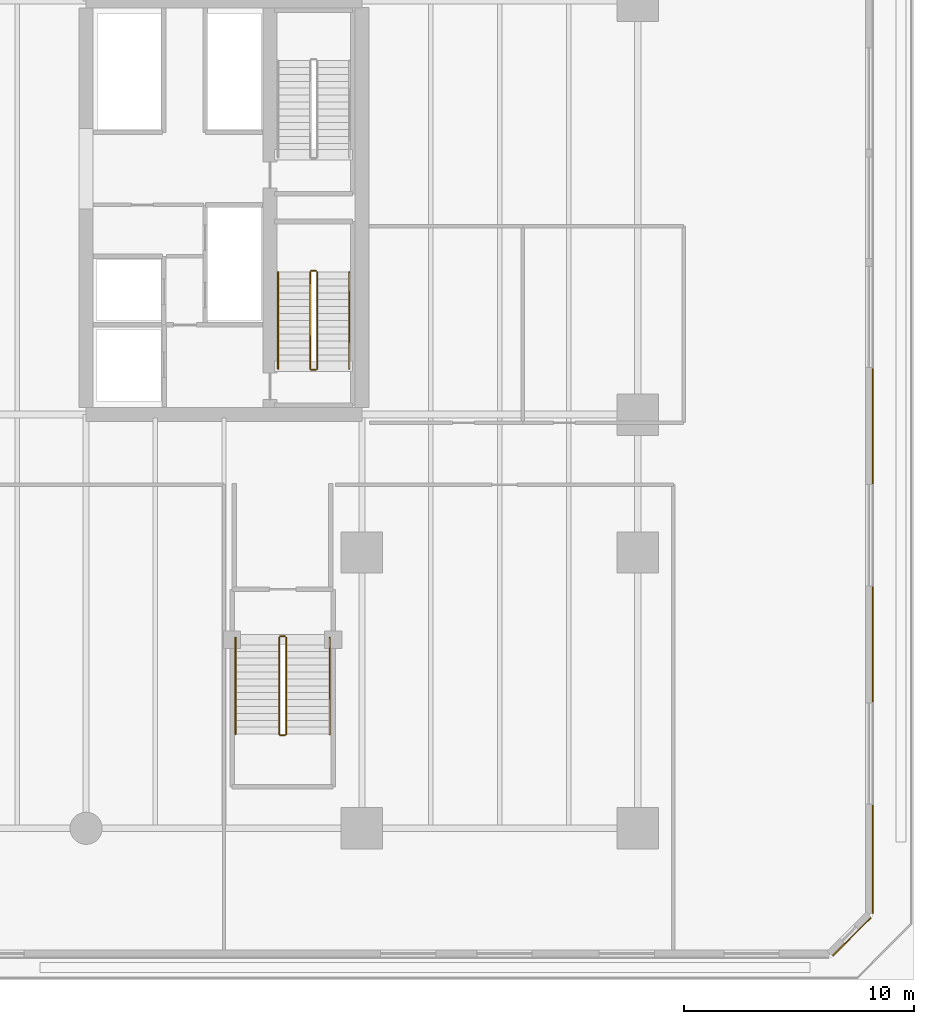
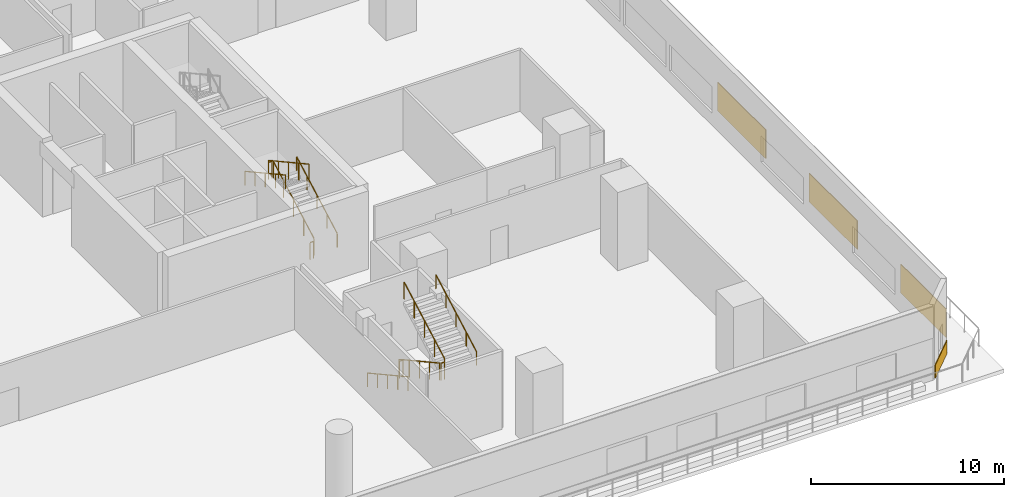
# One storey, part 22 of 24: 12 railings, 4 coverings.
"""IFC4 building model written with IfcOpenShell, lengths in metres."""

from ifc_helpers import new_model, si_unit, direction, frame, origin, origin_2d, place, context, subcontext, project, spatial, rectangle, extrude, material, layer, layer_set, type_object, element, save


model = new_model("IFC4")

# Units and contexts
model_context = context("Model", 3, precision=1e-05, world=origin(), true_north=direction((0.0, 1.0)))
body_context = subcontext(model_context, "Body", "Model", "MODEL_VIEW")
ifc_project = project(units=[si_unit("LENGTHUNIT", "METRE"), si_unit("AREAUNIT", "SQUARE_METRE"), si_unit("VOLUMEUNIT", "CUBIC_METRE"), si_unit("PLANEANGLEUNIT", "RADIAN"), si_unit("MASSUNIT", "GRAM", prefix="KILO")], contexts=[model_context])

# Site, building, storey
site_placement = place(None, origin())
site = spatial("IfcSite", under=ifc_project, at=site_placement, CompositionType="ELEMENT")
building_placement = place(site_placement, origin())
building = spatial("IfcBuilding", under=site, at=building_placement, Name="Tanjung Sevakor Pilgrim Tower", CompositionType="ELEMENT")
storey_placement = place(building_placement, frame((0.0, 0.0, 4.949951171875)))
storey = spatial("IfcBuildingStorey", under=building, at=storey_placement, Name="L02", CompositionType="ELEMENT", Elevation=4.949951171875)

# Coverings
ifc_material_1 = material(Name="Reconstructed Limestone Cladding", Category="masonry")
ifc_layer = layer(ifc_material_1, 0.044921875)
ifc_layer_set = layer_set([ifc_layer], Name="COV-CLAD-LIMESTONE")
covering_type = type_object("IfcCoveringType", Name="COV-CLAD-LIMESTONE", PredefinedType="CLADDING", material=ifc_layer_set)
covering_1_placement = place(storey_placement, frame((111.31591796875, 1.884033203125, 0.009765625), z_axis=(0.0, 0.0, 1.0), x_axis=(0.707106781187, 0.707106781187, 0.0)))
element("IfcCovering", 1, at=covering_1_placement, inside=storey, type_object=covering_type, Name="L02 Warm Limestone Sill Spandrel EW-L02-MAIN-2-1", PredefinedType="CLADDING", context=body_context, shape_type="SweptSolid", body=[
    extrude(rectangle(XDim=2.34130859375, YDim=0.044921875, at=origin_2d()), origin(), (0.0, 0.0, 1.0), 0.840087890625),
])
covering_2_placement = place(storey_placement, frame((112.222412109375, 5.2509765625, 0.85009765625), z_axis=(0.0, 0.0, 1.0), x_axis=(0.0, 1.0, 0.0)))
element("IfcCovering", 2, at=covering_2_placement, inside=storey, type_object=covering_type, Name="L02 Warm Limestone Pier Panel EW-L02-MAIN-3-1", PredefinedType="CLADDING", context=body_context, shape_type="SweptSolid", body=[
    extrude(rectangle(XDim=4.697998046875, YDim=0.044921875, at=origin_2d()), origin(), (0.0, 0.0, 1.0), 1.81005859375),
])
for number, where, z_axis, x_axis, name in (
    (3, (112.222412109375, 14.60009765625, 0.85009765625), (0.0, 0.0, 1.0), (0.0, 1.0, 0.0), "L02 Warm Limestone Pier Panel EW-L02-MAIN-3-2"),
    (4, (112.222412109375, 24.10009765625, 0.85009765625), (0.0, 0.0, 1.0), (0.0, 1.0, 0.0), "L02 Warm Limestone Pier Panel EW-L02-MAIN-3-3"),
):
    element("IfcCovering", number, at=place(storey_placement, frame(where, z_axis=z_axis, x_axis=x_axis)), inside=storey, type_object=covering_type, Name=name, PredefinedType="CLADDING", context=body_context, shape_type="SweptSolid", body=[
        extrude(rectangle(XDim=5.0, YDim=0.044921875, at=origin_2d()), origin(), (0.0, 0.0, 1.0), 1.81005859375),
    ])

# Railings
ifc_material_2 = material(Name="Steel S355J2", Category="steel")
railing_type_1 = type_object("IfcRailingType", Name="RL-STAIR-GUARD", PredefinedType="GUARDRAIL", material=ifc_material_2)
railing_1_placement = place(storey_placement, frame((88.050048828125, 26.60009765625, 0.1650390625)))
element("IfcRailing", 5, at=railing_1_placement, inside=storey, type_object=railing_type_1, Name="L02 TS-E1 stair guard 1", PredefinedType="GUARDRAIL", context=body_context, shape_type="SweptSolid", body=[
    extrude(rectangle(XDim=0.0479, YDim=0.0479), frame((0.0, 0.0, 1.076171875), z_axis=(0.0, 0.876208380975, 0.481932436249), x_axis=(-1.0, 0.0, 0.0)), (0.0, 0.0, 1.0), 4.793212890625),
    extrude(rectangle(XDim=0.042, YDim=0.042), origin(), (0.0, 0.0, 1.0), 1.052001953125),
    extrude(rectangle(XDim=0.042, YDim=0.042), frame((0.0, 1.050048828125, 0.57763671875)), (0.0, 0.0, 1.0), 1.052001953125),
    extrude(rectangle(XDim=0.042, YDim=0.042), frame((0.0, 2.10009765625, 1.155029296875)), (0.0, 0.0, 1.0), 1.052001953125),
    extrude(rectangle(XDim=0.042, YDim=0.042), frame((0.0, 3.14990234375, 1.732421875)), (0.0, 0.0, 1.0), 1.052001953125),
    extrude(rectangle(XDim=0.042, YDim=0.042), frame((0.0, 4.199951171875, 2.31005859375)), (0.0, 0.0, 1.0), 1.052001953125),
])
railing_2_placement = place(storey_placement, frame((88.0, 30.85009765625, 2.47509765625)))
element("IfcRailing", 6, at=railing_2_placement, inside=storey, type_object=railing_type_1, Name="L02 TS-E1 stair guard 2", PredefinedType="GUARDRAIL", context=body_context, shape_type="SweptSolid", body=[
    extrude(rectangle(XDim=0.0479, YDim=0.0479), frame((0.0, 0.0, 1.076171875), z_axis=(-1.0, 0.0, 0.0), x_axis=(0.0, -1.0, 0.0)), (0.0, 0.0, 1.0), 0.199951171875),
    extrude(rectangle(XDim=0.042, YDim=0.042), origin(), (0.0, 0.0, 1.0), 1.052001953125),
    extrude(rectangle(XDim=0.042, YDim=0.042), frame((-0.199951171875, 0.0, 0.0)), (0.0, 0.0, 1.0), 1.052001953125),
])
railing_3_placement = place(storey_placement, frame((87.75, 30.800048828125, 2.64013671875)))
element("IfcRailing", 7, at=railing_3_placement, inside=storey, type_object=railing_type_1, Name="L02 TS-E1 stair guard 3", PredefinedType="GUARDRAIL", context=body_context, shape_type="SweptSolid", body=[
    extrude(rectangle(XDim=0.0479, YDim=0.0479), frame((0.0, 0.0, 1.076171875), z_axis=(0.0, -0.876229888469, 0.481893331094), x_axis=(1.0, 0.0, 0.0)), (0.0, 0.0, 1.0), 4.793212890625),
    extrude(rectangle(XDim=0.042, YDim=0.042), origin(), (0.0, 0.0, 1.0), 1.052001953125),
    extrude(rectangle(XDim=0.042, YDim=0.042), frame((0.0, -1.050048828125, 0.577392578125)), (0.0, 0.0, 1.0), 1.052001953125),
    extrude(rectangle(XDim=0.042, YDim=0.042), frame((0.0, -2.10009765625, 1.15478515625)), (0.0, 0.0, 1.0), 1.052001953125),
    extrude(rectangle(XDim=0.042, YDim=0.042), frame((0.0, -3.14990234375, 1.732421875)), (0.0, 0.0, 1.0), 1.052001953125),
    extrude(rectangle(XDim=0.042, YDim=0.042), frame((0.0, -4.199951171875, 2.309814453125)), (0.0, 0.0, 1.0), 1.052001953125),
])
railing_4_placement = place(storey_placement, frame((88.0, 26.550048828125, 0.0)))
element("IfcRailing", 8, at=railing_4_placement, inside=storey, type_object=railing_type_1, Name="L02 TS-E1 stair guard 4", PredefinedType="GUARDRAIL", context=body_context, shape_type="SweptSolid", body=[
    extrude(rectangle(XDim=0.0479, YDim=0.0479), frame((0.0, 0.0, 1.076171875), z_axis=(-1.0, 0.0, 0.0), x_axis=(0.0, -1.0, 0.0)), (0.0, 0.0, 1.0), 0.199951171875),
    extrude(rectangle(XDim=0.042, YDim=0.042), origin(), (0.0, 0.0, 1.0), 1.052001953125),
    extrude(rectangle(XDim=0.042, YDim=0.042), frame((-0.199951171875, 0.0, 0.0)), (0.0, 0.0, 1.0), 1.052001953125),
])
railing_5_placement = place(storey_placement, frame((86.39990234375, 14.89990234375, 0.1650390625)))
element("IfcRailing", 9, at=railing_5_placement, inside=storey, type_object=railing_type_1, Name="L02 PS-5 stair guard 1", PredefinedType="GUARDRAIL", context=body_context, shape_type="SweptSolid", body=[
    extrude(rectangle(XDim=0.0479, YDim=0.0479), frame((0.0, 0.0, 1.076171875), z_axis=(0.0, -0.876208380975, 0.481932436249), x_axis=(1.0, 0.0, 0.0)), (0.0, 0.0, 1.0), 4.793212890625),
    extrude(rectangle(XDim=0.042, YDim=0.042), origin(), (0.0, 0.0, 1.0), 1.052001953125),
    extrude(rectangle(XDim=0.042, YDim=0.042), frame((0.0, -1.050048828125, 0.57763671875)), (0.0, 0.0, 1.0), 1.052001953125),
    extrude(rectangle(XDim=0.042, YDim=0.042), frame((0.0, -2.10009765625, 1.155029296875)), (0.0, 0.0, 1.0), 1.052001953125),
    extrude(rectangle(XDim=0.042, YDim=0.042), frame((0.0, -3.14990234375, 1.732421875)), (0.0, 0.0, 1.0), 1.052001953125),
    extrude(rectangle(XDim=0.042, YDim=0.042), frame((0.0, -4.199951171875, 2.31005859375)), (0.0, 0.0, 1.0), 1.052001953125),
])
railing_6_placement = place(storey_placement, frame((86.449951171875, 10.64990234375, 2.47509765625)))
element("IfcRailing", 10, at=railing_6_placement, inside=storey, type_object=railing_type_1, Name="L02 PS-5 stair guard 2", PredefinedType="GUARDRAIL", context=body_context, shape_type="SweptSolid", body=[
    extrude(rectangle(XDim=0.0479, YDim=0.0479), frame((0.0, 0.0, 1.076171875), z_axis=(1.0, 0.0, 0.0), x_axis=(0.0, 1.0, 0.0)), (0.0, 0.0, 1.0), 0.199951171875),
    extrude(rectangle(XDim=0.042, YDim=0.042), origin(), (0.0, 0.0, 1.0), 1.052001953125),
    extrude(rectangle(XDim=0.042, YDim=0.042), frame((0.199951171875, 0.0, 0.0)), (0.0, 0.0, 1.0), 1.052001953125),
])
railing_7_placement = place(storey_placement, frame((86.699951171875, 10.699951171875, 2.64013671875)))
element("IfcRailing", 11, at=railing_7_placement, inside=storey, type_object=railing_type_1, Name="L02 PS-5 stair guard 3", PredefinedType="GUARDRAIL", context=body_context, shape_type="SweptSolid", body=[
    extrude(rectangle(XDim=0.0479, YDim=0.0479), frame((0.0, 0.0, 1.076171875), z_axis=(0.0, 0.876229888469, 0.481893331094), x_axis=(-1.0, 0.0, 0.0)), (0.0, 0.0, 1.0), 4.793212890625),
    extrude(rectangle(XDim=0.042, YDim=0.042), origin(), (0.0, 0.0, 1.0), 1.052001953125),
    extrude(rectangle(XDim=0.042, YDim=0.042), frame((0.0, 1.050048828125, 0.577392578125)), (0.0, 0.0, 1.0), 1.052001953125),
    extrude(rectangle(XDim=0.042, YDim=0.042), frame((0.0, 2.10009765625, 1.15478515625)), (0.0, 0.0, 1.0), 1.052001953125),
    extrude(rectangle(XDim=0.042, YDim=0.042), frame((0.0, 3.14990234375, 1.732421875)), (0.0, 0.0, 1.0), 1.052001953125),
    extrude(rectangle(XDim=0.042, YDim=0.042), frame((0.0, 4.199951171875, 2.309814453125)), (0.0, 0.0, 1.0), 1.052001953125),
])
railing_8_placement = place(storey_placement, frame((86.449951171875, 14.949951171875, 0.0)))
element("IfcRailing", 12, at=railing_8_placement, inside=storey, type_object=railing_type_1, Name="L02 PS-5 stair guard 4", PredefinedType="GUARDRAIL", context=body_context, shape_type="SweptSolid", body=[
    extrude(rectangle(XDim=0.0479, YDim=0.0479), frame((0.0, 0.0, 1.076171875), z_axis=(1.0, 0.0, 0.0), x_axis=(0.0, 1.0, 0.0)), (0.0, 0.0, 1.0), 0.199951171875),
    extrude(rectangle(XDim=0.042, YDim=0.042), origin(), (0.0, 0.0, 1.0), 1.052001953125),
    extrude(rectangle(XDim=0.042, YDim=0.042), frame((0.199951171875, 0.0, 0.0)), (0.0, 0.0, 1.0), 1.052001953125),
])
ifc_material_3 = material(Name="Steel S355J2", Category="steel")
railing_type_2 = type_object("IfcRailingType", Name="RL-STAIR-HAND", PredefinedType="HANDRAIL", material=ifc_material_3)
railing_9_placement = place(storey_placement, frame((89.449951171875, 26.60009765625, 0.1650390625)))
element("IfcRailing", 13, at=railing_9_placement, inside=storey, type_object=railing_type_2, Name="L02 TS-E1 stair handrail 1", PredefinedType="HANDRAIL", context=body_context, shape_type="SweptSolid", body=[
    extrude(rectangle(XDim=0.0479, YDim=0.0479), frame((0.0, 0.0, 0.8759765625), z_axis=(0.0, 0.876208380975, 0.481932436249), x_axis=(-1.0, 0.0, 0.0)), (0.0, 0.0, 1.0), 4.793212890625),
    extrude(rectangle(XDim=0.042, YDim=0.042), origin(), (0.0, 0.0, 1.0), 0.851806640625),
    extrude(rectangle(XDim=0.042, YDim=0.042), frame((0.0, 1.050048828125, 0.57763671875)), (0.0, 0.0, 1.0), 0.851806640625),
    extrude(rectangle(XDim=0.042, YDim=0.042), frame((0.0, 2.10009765625, 1.155029296875)), (0.0, 0.0, 1.0), 0.851806640625),
    extrude(rectangle(XDim=0.042, YDim=0.042), frame((0.0, 3.14990234375, 1.732421875)), (0.0, 0.0, 1.0), 0.851806640625),
    extrude(rectangle(XDim=0.042, YDim=0.042), frame((0.0, 4.199951171875, 2.31005859375)), (0.0, 0.0, 1.0), 0.851806640625),
])
railing_10_placement = place(storey_placement, frame((86.35009765625, 30.800048828125, 2.64013671875)))
element("IfcRailing", 14, at=railing_10_placement, inside=storey, type_object=railing_type_2, Name="L02 TS-E1 stair handrail 2", PredefinedType="HANDRAIL", context=body_context, shape_type="SweptSolid", body=[
    extrude(rectangle(XDim=0.0479, YDim=0.0479), frame((0.0, 0.0, 0.8759765625), z_axis=(0.0, -0.876229888469, 0.481893331094), x_axis=(1.0, 0.0, 0.0)), (0.0, 0.0, 1.0), 4.793212890625),
    extrude(rectangle(XDim=0.042, YDim=0.042), origin(), (0.0, 0.0, 1.0), 0.851806640625),
    extrude(rectangle(XDim=0.042, YDim=0.042), frame((0.0, -1.050048828125, 0.577392578125)), (0.0, 0.0, 1.0), 0.851806640625),
    extrude(rectangle(XDim=0.042, YDim=0.042), frame((0.0, -2.10009765625, 1.15478515625)), (0.0, 0.0, 1.0), 0.851806640625),
    extrude(rectangle(XDim=0.042, YDim=0.042), frame((0.0, -3.14990234375, 1.732421875)), (0.0, 0.0, 1.0), 0.851806640625),
    extrude(rectangle(XDim=0.042, YDim=0.042), frame((0.0, -4.199951171875, 2.309814453125)), (0.0, 0.0, 1.0), 0.851806640625),
])
railing_11_placement = place(storey_placement, frame((84.5, 14.89990234375, 0.1650390625)))
element("IfcRailing", 15, at=railing_11_placement, inside=storey, type_object=railing_type_2, Name="L02 PS-5 stair handrail 1", PredefinedType="HANDRAIL", context=body_context, shape_type="SweptSolid", body=[
    extrude(rectangle(XDim=0.0479, YDim=0.0479), frame((0.0, 0.0, 0.8759765625), z_axis=(0.0, -0.876208380975, 0.481932436249), x_axis=(1.0, 0.0, 0.0)), (0.0, 0.0, 1.0), 4.793212890625),
    extrude(rectangle(XDim=0.042, YDim=0.042), origin(), (0.0, 0.0, 1.0), 0.851806640625),
    extrude(rectangle(XDim=0.042, YDim=0.042), frame((0.0, -1.050048828125, 0.57763671875)), (0.0, 0.0, 1.0), 0.851806640625),
    extrude(rectangle(XDim=0.042, YDim=0.042), frame((0.0, -2.10009765625, 1.155029296875)), (0.0, 0.0, 1.0), 0.851806640625),
    extrude(rectangle(XDim=0.042, YDim=0.042), frame((0.0, -3.14990234375, 1.732421875)), (0.0, 0.0, 1.0), 0.851806640625),
    extrude(rectangle(XDim=0.042, YDim=0.042), frame((0.0, -4.199951171875, 2.31005859375)), (0.0, 0.0, 1.0), 0.851806640625),
])
railing_12_placement = place(storey_placement, frame((88.60009765625, 10.699951171875, 2.64013671875)))
element("IfcRailing", 16, at=railing_12_placement, inside=storey, type_object=railing_type_2, Name="L02 PS-5 stair handrail 2", PredefinedType="HANDRAIL", context=body_context, shape_type="SweptSolid", body=[
    extrude(rectangle(XDim=0.0479, YDim=0.0479), frame((0.0, 0.0, 0.8759765625), z_axis=(0.0, 0.876229888469, 0.481893331094), x_axis=(-1.0, 0.0, 0.0)), (0.0, 0.0, 1.0), 4.793212890625),
    extrude(rectangle(XDim=0.042, YDim=0.042), origin(), (0.0, 0.0, 1.0), 0.851806640625),
    extrude(rectangle(XDim=0.042, YDim=0.042), frame((0.0, 1.050048828125, 0.577392578125)), (0.0, 0.0, 1.0), 0.851806640625),
    extrude(rectangle(XDim=0.042, YDim=0.042), frame((0.0, 2.10009765625, 1.15478515625)), (0.0, 0.0, 1.0), 0.851806640625),
    extrude(rectangle(XDim=0.042, YDim=0.042), frame((0.0, 3.14990234375, 1.732421875)), (0.0, 0.0, 1.0), 0.851806640625),
    extrude(rectangle(XDim=0.042, YDim=0.042), frame((0.0, 4.199951171875, 2.309814453125)), (0.0, 0.0, 1.0), 0.851806640625),
])

save(model, "model.ifc")
